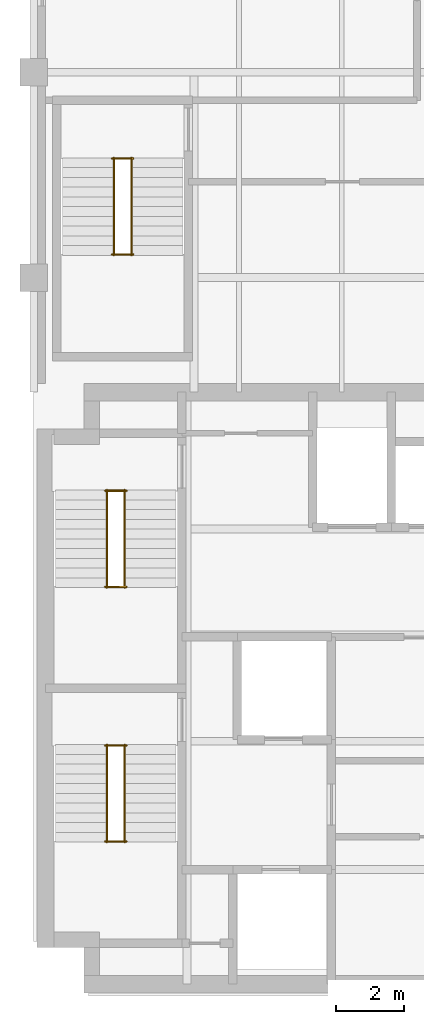
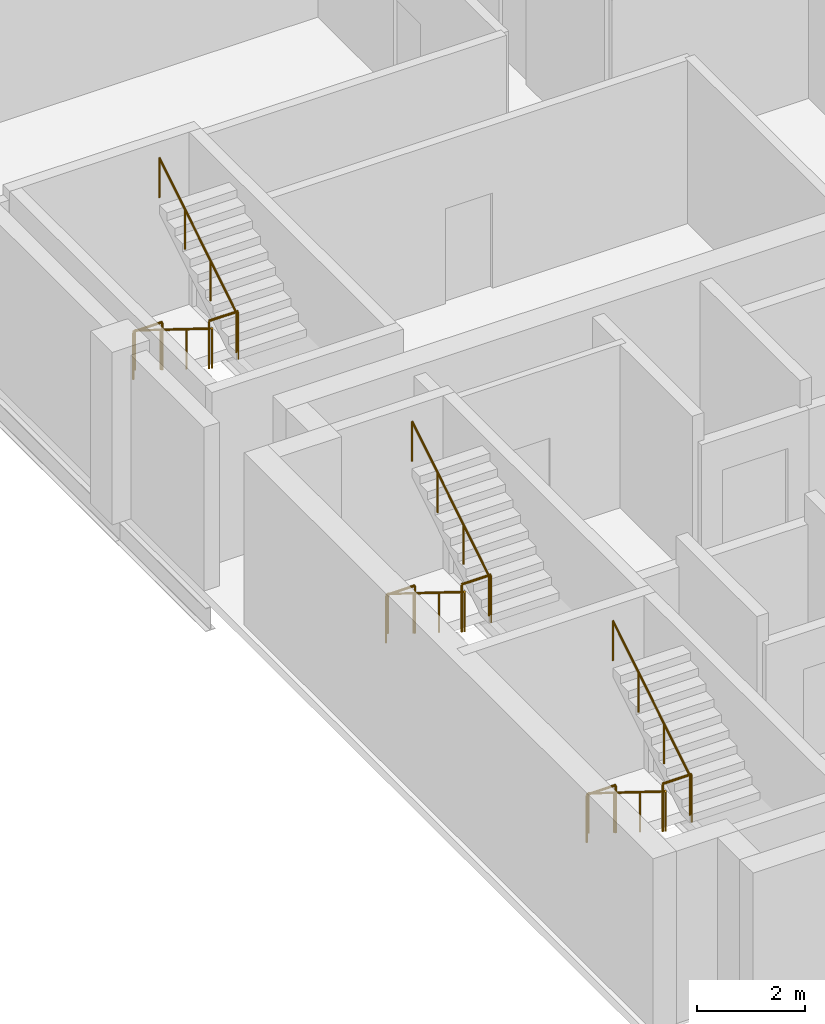
# One storey, part 6 of 6: 12 railings.
"""IFC4 building model written with IfcOpenShell, lengths in metres."""

from ifc_helpers import new_model, si_unit, direction, frame, origin, origin_2d, place, context, subcontext, project, spatial, circle, extrude, material, type_object, element, save


model = new_model("IFC4")

# Units and contexts
model_context = context("Model", 3, precision=1e-05, world=origin(), true_north=direction((0.0, 1.0)))
body_context = subcontext(model_context, "Body", "Model", "MODEL_VIEW")
ifc_project = project(units=[si_unit("LENGTHUNIT", "METRE"), si_unit("AREAUNIT", "SQUARE_METRE"), si_unit("VOLUMEUNIT", "CUBIC_METRE"), si_unit("PLANEANGLEUNIT", "RADIAN"), si_unit("MASSUNIT", "GRAM", prefix="KILO")], contexts=[model_context])

# Site, building, storey
site_placement = place(None, origin())
site = spatial("IfcSite", under=ifc_project, at=site_placement, CompositionType="ELEMENT")
building_placement = place(site_placement, origin())
building = spatial("IfcBuilding", under=site, at=building_placement, Name="Mawjdan Bourse Tower", CompositionType="ELEMENT")
storey_placement = place(building_placement, frame((0.0, 0.0, 239.10009765625)))
storey = spatial("IfcBuildingStorey", under=building, at=storey_placement, Name="L58", CompositionType="ELEMENT", Elevation=239.10009765625)

# Railings
ifc_material_1 = material(Name="Structural Steel S355", Category="steel")
railing_type_1 = type_object("IfcRailingType", Name="RLG-GRD-1100", PredefinedType="GUARDRAIL", material=ifc_material_1)
for number, where, name in (
    (1, (8.090087890625, 7.52001953125, 1.949951171875), "L58 ST1 Landing Guardrail GL-MID"),
    (2, (8.090087890625, 10.330078125, 0.0), "L58 ST1 Landing Guardrail GL-BOT"),
    (3, (8.090087890625, 14.9599609375, 1.949951171875), "L58 ST2 Landing Guardrail GL-MID"),
    (4, (8.090087890625, 17.77001953125, 0.0), "L58 ST2 Landing Guardrail GL-BOT"),
    (5, (8.2900390625, 24.669921875, 1.949951171875), "L58 ST3 Landing Guardrail GL-MID"),
    (6, (8.2900390625, 27.47998046875, 0.0), "L58 ST3 Landing Guardrail GL-BOT"),
):
    element("IfcRailing", number, at=place(storey_placement, frame(where)), inside=storey, type_object=railing_type_1, Name=name, PredefinedType="GUARDRAIL", context=body_context, shape_type="SweptSolid", body=[
        extrude(circle(Radius=0.02490234375, at=origin_2d()), frame((0.0, 0.0, 1.0751953125), z_axis=(1.0, 0.0, 0.0), x_axis=(0.0, 1.0, 0.0)), (0.0, 0.0, 1.0), 0.619873046875),
        extrude(circle(Radius=0.02099609375, at=origin_2d()), origin(), (0.0, 0.0, 1.0), 1.050048828125),
        extrude(circle(Radius=0.02099609375, at=origin_2d()), frame((0.619873046875, 0.0, 0.0)), (0.0, 0.0, 1.0), 1.050048828125),
    ])
ifc_material_2 = material(Name="Brushed Stainless Steel", Category="steel")
railing_type_2 = type_object("IfcRailingType", Name="RLG-HND-920", PredefinedType="HANDRAIL", material=ifc_material_2)
railing_1_placement = place(storey_placement, frame((8.139892578125, 10.35009765625, 0.17724609375)))
element("IfcRailing", 7, at=railing_1_placement, inside=storey, type_object=railing_type_2, Name="L58 ST1 Flight Handrail HR1", PredefinedType="HANDRAIL", context=body_context, shape_type="SweptSolid", body=[
    extrude(circle(Radius=0.0224609375, at=origin_2d()), frame((0.0, 0.0, 0.8974609375), z_axis=(0.0, -0.849148672731, 0.528153890072), x_axis=(1.0, 0.0, 0.0)), (0.0, 0.0, 1.0), 3.3564453125),
    extrude(circle(Radius=0.01904296875, at=origin_2d()), origin(), (0.0, 0.0, 1.0), 0.875),
    extrude(circle(Radius=0.01904296875, at=origin_2d()), frame((0.0, -0.949951171875, 0.5908203125)), (0.0, 0.0, 1.0), 0.875),
    extrude(circle(Radius=0.01904296875, at=origin_2d()), frame((0.0, -1.900146484375, 1.181884765625)), (0.0, 0.0, 1.0), 0.875),
    extrude(circle(Radius=0.01904296875, at=origin_2d()), frame((0.0, -2.85009765625, 1.772705078125)), (0.0, 0.0, 1.0), 0.875),
])
railing_2_placement = place(storey_placement, frame((8.659912109375, 7.5, 2.127197265625)))
element("IfcRailing", 8, at=railing_2_placement, inside=storey, type_object=railing_type_2, Name="L58 ST1 Flight Handrail HR2", PredefinedType="HANDRAIL", context=body_context, shape_type="SweptSolid", body=[
    extrude(circle(Radius=0.0224609375, at=origin_2d()), frame((0.0, 0.0, 0.8974609375), z_axis=(0.0, 0.849148672731, 0.528153890072), x_axis=(-1.0, 0.0, 0.0)), (0.0, 0.0, 1.0), 3.3564453125),
    extrude(circle(Radius=0.01904296875, at=origin_2d()), origin(), (0.0, 0.0, 1.0), 0.875),
    extrude(circle(Radius=0.01904296875, at=origin_2d()), frame((0.0, 0.949951171875, 0.5908203125)), (0.0, 0.0, 1.0), 0.875),
    extrude(circle(Radius=0.01904296875, at=origin_2d()), frame((0.0, 1.900146484375, 1.181884765625)), (0.0, 0.0, 1.0), 0.875),
    extrude(circle(Radius=0.01904296875, at=origin_2d()), frame((0.0, 2.85009765625, 1.772705078125)), (0.0, 0.0, 1.0), 0.875),
])
railing_3_placement = place(storey_placement, frame((8.139892578125, 17.7900390625, 0.17724609375)))
element("IfcRailing", 9, at=railing_3_placement, inside=storey, type_object=railing_type_2, Name="L58 ST2 Flight Handrail HR1", PredefinedType="HANDRAIL", context=body_context, shape_type="SweptSolid", body=[
    extrude(circle(Radius=0.0224609375, at=origin_2d()), frame((0.0, 0.0, 0.8974609375), z_axis=(0.0, -0.849148672731, 0.528153890072), x_axis=(1.0, 0.0, 0.0)), (0.0, 0.0, 1.0), 3.3564453125),
    extrude(circle(Radius=0.01904296875, at=origin_2d()), origin(), (0.0, 0.0, 1.0), 0.875),
    extrude(circle(Radius=0.01904296875, at=origin_2d()), frame((0.0, -0.949951171875, 0.5908203125)), (0.0, 0.0, 1.0), 0.875),
    extrude(circle(Radius=0.01904296875, at=origin_2d()), frame((0.0, -1.900146484375, 1.181884765625)), (0.0, 0.0, 1.0), 0.875),
    extrude(circle(Radius=0.01904296875, at=origin_2d()), frame((0.0, -2.85009765625, 1.772705078125)), (0.0, 0.0, 1.0), 0.875),
])
railing_4_placement = place(storey_placement, frame((8.659912109375, 14.93994140625, 2.127197265625)))
element("IfcRailing", 10, at=railing_4_placement, inside=storey, type_object=railing_type_2, Name="L58 ST2 Flight Handrail HR2", PredefinedType="HANDRAIL", context=body_context, shape_type="SweptSolid", body=[
    extrude(circle(Radius=0.0224609375, at=origin_2d()), frame((0.0, 0.0, 0.8974609375), z_axis=(0.0, 0.849148672731, 0.528153890072), x_axis=(-1.0, 0.0, 0.0)), (0.0, 0.0, 1.0), 3.3564453125),
    extrude(circle(Radius=0.01904296875, at=origin_2d()), origin(), (0.0, 0.0, 1.0), 0.875),
    extrude(circle(Radius=0.01904296875, at=origin_2d()), frame((0.0, 0.949951171875, 0.5908203125)), (0.0, 0.0, 1.0), 0.875),
    extrude(circle(Radius=0.01904296875, at=origin_2d()), frame((0.0, 1.900146484375, 1.181884765625)), (0.0, 0.0, 1.0), 0.875),
    extrude(circle(Radius=0.01904296875, at=origin_2d()), frame((0.0, 2.85009765625, 1.772705078125)), (0.0, 0.0, 1.0), 0.875),
])
railing_5_placement = place(storey_placement, frame((8.340087890625, 27.5, 0.17724609375)))
element("IfcRailing", 11, at=railing_5_placement, inside=storey, type_object=railing_type_2, Name="L58 ST3 Flight Handrail HR1", PredefinedType="HANDRAIL", context=body_context, shape_type="SweptSolid", body=[
    extrude(circle(Radius=0.0224609375, at=origin_2d()), frame((0.0, 0.0, 0.8974609375), z_axis=(0.0, -0.849148672731, 0.528153890072), x_axis=(1.0, 0.0, 0.0)), (0.0, 0.0, 1.0), 3.3564453125),
    extrude(circle(Radius=0.01904296875, at=origin_2d()), origin(), (0.0, 0.0, 1.0), 0.875),
    extrude(circle(Radius=0.01904296875, at=origin_2d()), frame((0.0, -0.949951171875, 0.5908203125)), (0.0, 0.0, 1.0), 0.875),
    extrude(circle(Radius=0.01904296875, at=origin_2d()), frame((0.0, -1.900146484375, 1.181884765625)), (0.0, 0.0, 1.0), 0.875),
    extrude(circle(Radius=0.01904296875, at=origin_2d()), frame((0.0, -2.85009765625, 1.772705078125)), (0.0, 0.0, 1.0), 0.875),
])
railing_6_placement = place(storey_placement, frame((8.860107421875, 24.64990234375, 2.127197265625)))
element("IfcRailing", 12, at=railing_6_placement, inside=storey, type_object=railing_type_2, Name="L58 ST3 Flight Handrail HR2", PredefinedType="HANDRAIL", context=body_context, shape_type="SweptSolid", body=[
    extrude(circle(Radius=0.0224609375, at=origin_2d()), frame((0.0, 0.0, 0.8974609375), z_axis=(0.0, 0.849148672731, 0.528153890072), x_axis=(-1.0, 0.0, 0.0)), (0.0, 0.0, 1.0), 3.3564453125),
    extrude(circle(Radius=0.01904296875, at=origin_2d()), origin(), (0.0, 0.0, 1.0), 0.875),
    extrude(circle(Radius=0.01904296875, at=origin_2d()), frame((0.0, 0.949951171875, 0.5908203125)), (0.0, 0.0, 1.0), 0.875),
    extrude(circle(Radius=0.01904296875, at=origin_2d()), frame((0.0, 1.900146484375, 1.181884765625)), (0.0, 0.0, 1.0), 0.875),
    extrude(circle(Radius=0.01904296875, at=origin_2d()), frame((0.0, 2.85009765625, 1.772705078125)), (0.0, 0.0, 1.0), 0.875),
])

save(model, "model.ifc")
